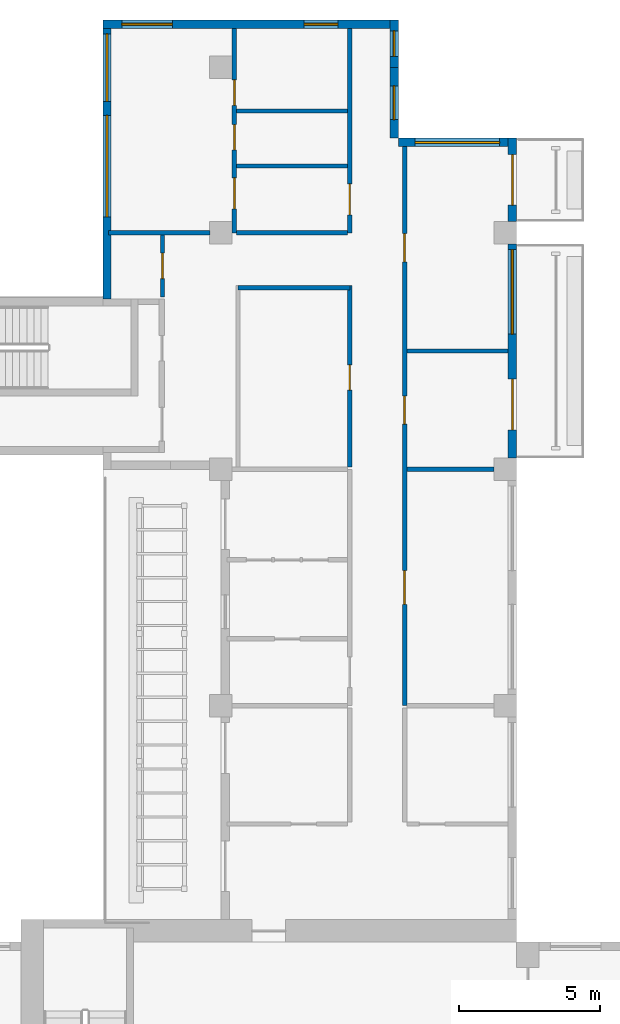
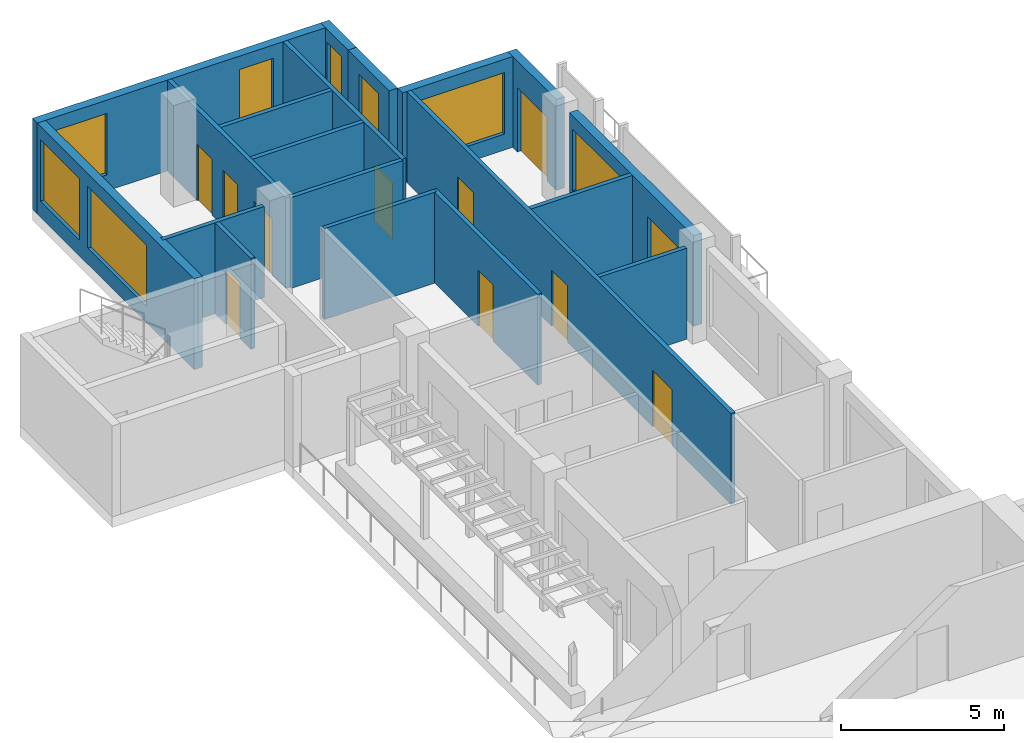
# One storey, part 9 of 14: 19 walls, 11 doors, 8 windows, 19 openings.
"""IFC4 building model written with IfcOpenShell, lengths in metres."""

from ifc_helpers import new_model, si_unit, direction, frame, frame_2d, origin, place, context, subcontext, project, spatial, rectangle, extrude, source, transform, mapped, material, layer, layer_set, type_object, element, fill, save


model = new_model("IFC4")

# Units and contexts
model_context = context("Model", 3, precision=1e-05, world=origin(), true_north=direction((0.0, 1.0)))
body_context = subcontext(model_context, "Body", "Model", "MODEL_VIEW")
ifc_project = project(units=[si_unit("LENGTHUNIT", "METRE"), si_unit("AREAUNIT", "SQUARE_METRE"), si_unit("VOLUMEUNIT", "CUBIC_METRE"), si_unit("PLANEANGLEUNIT", "RADIAN"), si_unit("MASSUNIT", "GRAM", prefix="KILO")], contexts=[model_context])

# Site, building, storey
site_placement = place(None, origin())
site = spatial("IfcSite", under=ifc_project, at=site_placement, CompositionType="ELEMENT")
building_placement = place(site_placement, origin())
building = spatial("IfcBuilding", under=site, at=building_placement, Name="Aurelian Terraces", CompositionType="ELEMENT")
storey_placement = place(building_placement, frame((0.0, 0.0, 231.0)))
storey = spatial("IfcBuildingStorey", under=building, at=storey_placement, Name="L52", CompositionType="ELEMENT", Elevation=231.0)

# Wall, opening, window
ifc_material_1 = material(Name="Terracotta rainscreen cladding", Category="masonry")
ifc_layer_1 = layer(ifc_material_1, 0.3)
ifc_layer_set_1 = layer_set([ifc_layer_1], Name="EW-300")
wall_type_1 = type_object("IfcWallType", Name="EW-300", PredefinedType="STANDARD", material=ifc_layer_set_1)
shared_shape_1 = source(origin(), body_context, "Body", "SweptSolid", [
    extrude(rectangle(XDim=4.2, YDim=0.3, at=frame_2d((2.1, 0.0))), origin(), (0.0, 0.0, 1.0), 3.4),
])
wall_1_placement = place(storey_placement, frame((21.0, 49.41, 0.0), z_axis=(0.0, 0.0, 1.0), x_axis=(-1.0, 0.0, 0.0)))
wall_1 = element("IfcWall", 1, at=wall_1_placement, inside=storey, type_object=wall_type_1, Name="External wall L52 F09.22", PredefinedType="STANDARD", context=body_context, shape_type="MappedRepresentation", body=[
    mapped(shared_shape_1, transform((0.0, 0.0, 0.0), scale=1.0)),
])
shared_shape_2 = source(origin(), body_context, "Body", "SweptSolid", [
    extrude(rectangle(XDim=3.0, YDim=2.3, at=frame_2d((1.5, 1.15))), frame((0.0, 0.16, 0.0), z_axis=(0.0, -1.0, 0.0), x_axis=(1.0, 0.0, 0.0)), (0.0, 0.0, 1.0), 0.32),
])
opening_1_placement = place(wall_1_placement, frame((0.6, 0.0, 0.6)))
opening_1 = element("IfcOpeningElement", 2, at=opening_1_placement, cuts=wall_1, Name="Opening W3023", PredefinedType="OPENING", context=body_context, shape_type="MappedRepresentation", body=[
    mapped(shared_shape_2, transform((0.0, 0.0, 0.0), scale=1.0)),
])
ifc_material_2 = material(Name="Clear glazing", Category="glass")
window_type_1 = type_object("IfcWindowType", Name="W-3000x2300", PartitioningType="SINGLE_PANEL", PredefinedType="WINDOW", material=ifc_material_2)
shared_shape_3 = source(origin(), body_context, "Body", "SweptSolid", [
    extrude(rectangle(XDim=3.0, YDim=2.3, at=frame_2d((1.5, 1.15))), frame((0.0, 0.03, 0.0), z_axis=(0.0, -1.0, 0.0), x_axis=(1.0, 0.0, 0.0)), (0.0, 0.0, 1.0), 0.06),
])
window_1_placement = place(opening_1_placement, origin())
window_1 = element("IfcWindow", 3, at=window_1_placement, inside=storey, type_object=window_type_1, Name="Window L52 L52-F09-22-0", OverallHeight=2.3, OverallWidth=3.0, PartitioningType="SINGLE_PANEL", PredefinedType="WINDOW", context=body_context, shape_type="MappedRepresentation", body=[
    mapped(shared_shape_3, transform((0.0, 0.0, 0.0), scale=1.0)),
])
fill(opening_1, window_1)

shared_shape_4 = source(origin(), body_context, "Body", "SweptSolid", [
    extrude(rectangle(XDim=2.52, YDim=0.3, at=frame_2d((1.26, 0.0))), origin(), (0.0, 0.0, 1.0), 3.4),
])
wall_2_placement = place(storey_placement, frame((16.65, 49.56, 0.0), z_axis=(0.0, 0.0, 1.0), x_axis=(0.0, 1.0, 0.0)))
wall_2 = element("IfcWall", 4, at=wall_2_placement, inside=storey, type_object=wall_type_1, Name="External wall L52 F10.23", PredefinedType="STANDARD", context=body_context, shape_type="MappedRepresentation", body=[
    mapped(shared_shape_4, transform((0.0, 0.0, 0.0), scale=1.0)),
])
shared_shape_5 = source(origin(), body_context, "Body", "SweptSolid", [
    extrude(rectangle(XDim=1.2, YDim=2.3, at=frame_2d((0.6, 1.15))), frame((0.0, 0.16, 0.0), z_axis=(0.0, -1.0, 0.0), x_axis=(1.0, 0.0, 0.0)), (0.0, 0.0, 1.0), 0.32),
])
opening_2_placement = place(wall_2_placement, frame((0.66, 0.0, 0.6)))
opening_2 = element("IfcOpeningElement", 5, at=opening_2_placement, cuts=wall_2, Name="Opening W1223", PredefinedType="OPENING", context=body_context, shape_type="MappedRepresentation", body=[
    mapped(shared_shape_5, transform((0.0, 0.0, 0.0), scale=1.0)),
])
window_type_2 = type_object("IfcWindowType", Name="W-1200x2300", PartitioningType="SINGLE_PANEL", PredefinedType="WINDOW", material=ifc_material_2)
shared_shape_6 = source(origin(), body_context, "Body", "SweptSolid", [
    extrude(rectangle(XDim=1.2, YDim=2.3, at=frame_2d((0.6, 1.15))), frame((0.0, 0.03, 0.0), z_axis=(0.0, -1.0, 0.0), x_axis=(1.0, 0.0, 0.0)), (0.0, 0.0, 1.0), 0.06),
])
window_2_placement = place(opening_2_placement, origin())
window_2 = element("IfcWindow", 6, at=window_2_placement, inside=storey, type_object=window_type_2, Name="Window L52 L52-F10-23-0", OverallHeight=2.3, OverallWidth=1.2, PartitioningType="SINGLE_PANEL", PredefinedType="WINDOW", context=body_context, shape_type="MappedRepresentation", body=[
    mapped(shared_shape_6, transform((0.0, 0.0, 0.0), scale=1.0)),
])
fill(opening_2, window_2)

shared_shape_7 = source(origin(), body_context, "Body", "SweptSolid", [
    extrude(rectangle(XDim=1.68, YDim=0.3, at=frame_2d((0.84, 0.0))), origin(), (0.0, 0.0, 1.0), 3.4),
])
wall_3_placement = place(storey_placement, frame((16.65, 52.08, 0.0), z_axis=(0.0, 0.0, 1.0), x_axis=(0.0, 1.0, 0.0)))
wall_3 = element("IfcWall", 7, at=wall_3_placement, inside=storey, type_object=wall_type_1, Name="External wall L52 F10.24", PredefinedType="STANDARD", context=body_context, shape_type="MappedRepresentation", body=[
    mapped(shared_shape_7, transform((0.0, 0.0, 0.0), scale=1.0)),
])
shared_shape_8 = source(origin(), body_context, "Body", "SweptSolid", [
    extrude(rectangle(XDim=0.9, YDim=2.3, at=frame_2d((0.45, 1.15))), frame((0.0, 0.16, 0.0), z_axis=(0.0, -1.0, 0.0), x_axis=(1.0, 0.0, 0.0)), (0.0, 0.0, 1.0), 0.32),
])
opening_3_placement = place(wall_3_placement, frame((0.39, 0.0, 0.6)))
opening_3 = element("IfcOpeningElement", 8, at=opening_3_placement, cuts=wall_3, Name="Opening W0923", PredefinedType="OPENING", context=body_context, shape_type="MappedRepresentation", body=[
    mapped(shared_shape_8, transform((0.0, 0.0, 0.0), scale=1.0)),
])
window_type_3 = type_object("IfcWindowType", Name="W-900x2300", PartitioningType="SINGLE_PANEL", PredefinedType="WINDOW", material=ifc_material_2)
shared_shape_9 = source(origin(), body_context, "Body", "SweptSolid", [
    extrude(rectangle(XDim=0.9, YDim=2.3, at=frame_2d((0.45, 1.15))), frame((0.0, 0.03, 0.0), z_axis=(0.0, -1.0, 0.0), x_axis=(1.0, 0.0, 0.0)), (0.0, 0.0, 1.0), 0.06),
])
window_3_placement = place(opening_3_placement, origin())
window_3 = element("IfcWindow", 9, at=window_3_placement, inside=storey, type_object=window_type_3, Name="Window L52 L52-F10-24-P0", OverallHeight=2.3, OverallWidth=0.9, PartitioningType="SINGLE_PANEL", PredefinedType="WINDOW", context=body_context, shape_type="MappedRepresentation", body=[
    mapped(shared_shape_9, transform((0.0, 0.0, 0.0), scale=1.0)),
])
fill(opening_3, window_3)

# Wall, openings, windows
shared_shape_10 = source(origin(), body_context, "Body", "SweptSolid", [
    extrude(rectangle(XDim=10.5, YDim=0.3, at=frame_2d((5.25, 0.0))), origin(), (0.0, 0.0, 1.0), 3.4),
])
wall_4_placement = place(storey_placement, frame((16.8, 53.61, 0.0), z_axis=(0.0, 0.0, 1.0), x_axis=(-1.0, 0.0, 0.0)))
wall_4 = element("IfcWall", 10, at=wall_4_placement, inside=storey, type_object=wall_type_1, Name="External wall L52 F11.25", PredefinedType="STANDARD", context=body_context, shape_type="MappedRepresentation", body=[
    mapped(shared_shape_10, transform((0.0, 0.0, 0.0), scale=1.0)),
])
opening_4_placement = place(wall_4_placement, frame((2.15, 0.0, 0.6)))
opening_4 = element("IfcOpeningElement", 11, at=opening_4_placement, cuts=wall_4, Name="Opening W1223", PredefinedType="OPENING", context=body_context, shape_type="MappedRepresentation", body=[
    mapped(shared_shape_5, transform((0.0, 0.0, 0.0), scale=1.0)),
])
shared_shape_11 = source(origin(), body_context, "Body", "SweptSolid", [
    extrude(rectangle(XDim=1.8, YDim=2.3, at=frame_2d((0.9, 1.15))), frame((0.0, 0.16, 0.0), z_axis=(0.0, -1.0, 0.0), x_axis=(1.0, 0.0, 0.0)), (0.0, 0.0, 1.0), 0.32),
])
opening_5_placement = place(wall_4_placement, frame((8.025, 0.0, 0.6)))
opening_5 = element("IfcOpeningElement", 12, at=opening_5_placement, cuts=wall_4, Name="Opening W1823", PredefinedType="OPENING", context=body_context, shape_type="MappedRepresentation", body=[
    mapped(shared_shape_11, transform((0.0, 0.0, 0.0), scale=1.0)),
])
window_4_placement = place(opening_4_placement, origin())
window_4 = element("IfcWindow", 13, at=window_4_placement, inside=storey, type_object=window_type_2, Name="Window L52 L52-F11-25-0", OverallHeight=2.3, OverallWidth=1.2, PartitioningType="SINGLE_PANEL", PredefinedType="WINDOW", context=body_context, shape_type="MappedRepresentation", body=[
    mapped(shared_shape_6, transform((0.0, 0.0, 0.0), scale=1.0)),
])
fill(opening_4, window_4)
window_type_4 = type_object("IfcWindowType", Name="W-1800x2300", PartitioningType="SINGLE_PANEL", PredefinedType="WINDOW", material=ifc_material_2)
shared_shape_12 = source(origin(), body_context, "Body", "SweptSolid", [
    extrude(rectangle(XDim=1.8, YDim=2.3, at=frame_2d((0.9, 1.15))), frame((0.0, 0.03, 0.0), z_axis=(0.0, -1.0, 0.0), x_axis=(1.0, 0.0, 0.0)), (0.0, 0.0, 1.0), 0.06),
])
window_5_placement = place(opening_5_placement, origin())
window_5 = element("IfcWindow", 14, at=window_5_placement, inside=storey, type_object=window_type_4, Name="Window L52 L52-F11-25-2", OverallHeight=2.3, OverallWidth=1.8, PartitioningType="SINGLE_PANEL", PredefinedType="WINDOW", context=body_context, shape_type="MappedRepresentation", body=[
    mapped(shared_shape_12, transform((0.0, 0.0, 0.0), scale=1.0)),
])
fill(opening_5, window_5)

shared_shape_13 = source(origin(), body_context, "Body", "SweptSolid", [
    extrude(rectangle(XDim=9.91, YDim=0.3, at=frame_2d((4.955, 0.0))), origin(), (0.0, 0.0, 1.0), 3.4),
])
wall_5_placement = place(storey_placement, frame((6.45, 53.76, 0.0), z_axis=(0.0, 0.0, 1.0), x_axis=(0.0, -1.0, 0.0)))
wall_5 = element("IfcWall", 15, at=wall_5_placement, inside=storey, type_object=wall_type_1, Name="External wall L52 F12.26", PredefinedType="STANDARD", context=body_context, shape_type="MappedRepresentation", body=[
    mapped(shared_shape_13, transform((0.0, 0.0, 0.0), scale=1.0)),
])
shared_shape_14 = source(origin(), body_context, "Body", "SweptSolid", [
    extrude(rectangle(XDim=3.6, YDim=2.3, at=frame_2d((1.8, 1.15))), frame((0.0, 0.16, 0.0), z_axis=(0.0, -1.0, 0.0), x_axis=(1.0, 0.0, 0.0)), (0.0, 0.0, 1.0), 0.32),
])
opening_6_placement = place(wall_5_placement, frame((3.39, 0.0, 0.6)))
opening_6 = element("IfcOpeningElement", 16, at=opening_6_placement, cuts=wall_5, Name="Opening W3623", PredefinedType="OPENING", context=body_context, shape_type="MappedRepresentation", body=[
    mapped(shared_shape_14, transform((0.0, 0.0, 0.0), scale=1.0)),
])
shared_shape_15 = source(origin(), body_context, "Body", "SweptSolid", [
    extrude(rectangle(XDim=2.4, YDim=2.3, at=frame_2d((1.2, 1.15))), frame((0.0, 0.16, 0.0), z_axis=(0.0, -1.0, 0.0), x_axis=(1.0, 0.0, 0.0)), (0.0, 0.0, 1.0), 0.32),
])
opening_7_placement = place(wall_5_placement, frame((0.495, 0.0, 0.6)))
opening_7 = element("IfcOpeningElement", 17, at=opening_7_placement, cuts=wall_5, Name="Opening W2423", PredefinedType="OPENING", context=body_context, shape_type="MappedRepresentation", body=[
    mapped(shared_shape_15, transform((0.0, 0.0, 0.0), scale=1.0)),
])
window_type_5 = type_object("IfcWindowType", Name="W-3600x2300", PartitioningType="SINGLE_PANEL", PredefinedType="WINDOW", material=ifc_material_2)
shared_shape_16 = source(origin(), body_context, "Body", "SweptSolid", [
    extrude(rectangle(XDim=3.6, YDim=2.3, at=frame_2d((1.8, 1.15))), frame((0.0, 0.03, 0.0), z_axis=(0.0, -1.0, 0.0), x_axis=(1.0, 0.0, 0.0)), (0.0, 0.0, 1.0), 0.06),
])
window_6_placement = place(opening_6_placement, origin())
window_6 = element("IfcWindow", 18, at=window_6_placement, inside=storey, type_object=window_type_5, Name="Window L52 L52-F12-26-1", OverallHeight=2.3, OverallWidth=3.6, PartitioningType="SINGLE_PANEL", PredefinedType="WINDOW", context=body_context, shape_type="MappedRepresentation", body=[
    mapped(shared_shape_16, transform((0.0, 0.0, 0.0), scale=1.0)),
])
fill(opening_6, window_6)
window_type_6 = type_object("IfcWindowType", Name="W-2400x2300", PartitioningType="SINGLE_PANEL", PredefinedType="WINDOW", material=ifc_material_2)
shared_shape_17 = source(origin(), body_context, "Body", "SweptSolid", [
    extrude(rectangle(XDim=2.4, YDim=2.3, at=frame_2d((1.2, 1.15))), frame((0.0, 0.03, 0.0), z_axis=(0.0, -1.0, 0.0), x_axis=(1.0, 0.0, 0.0)), (0.0, 0.0, 1.0), 0.06),
])
window_7_placement = place(opening_7_placement, origin())
window_7 = element("IfcWindow", 19, at=window_7_placement, inside=storey, type_object=window_type_6, Name="Window L52 L52-F12-26-G0-0", OverallHeight=2.3, OverallWidth=2.4, PartitioningType="SINGLE_PANEL", PredefinedType="WINDOW", context=body_context, shape_type="MappedRepresentation", body=[
    mapped(shared_shape_17, transform((0.0, 0.0, 0.0), scale=1.0)),
])
fill(opening_7, window_7)

# Wall, openings, door, window
shared_shape_18 = source(origin(), body_context, "Body", "SweptSolid", [
    extrude(rectangle(XDim=7.6, YDim=0.3, at=frame_2d((3.8, 0.0))), origin(), (0.0, 0.0, 1.0), 3.4),
])
wall_6_placement = place(storey_placement, frame((20.85, 38.2, 0.0), z_axis=(0.0, 0.0, 1.0), x_axis=(0.0, 1.0, 0.0)))
wall_6 = element("IfcWall", 20, at=wall_6_placement, inside=storey, type_object=wall_type_1, Name="External wall L52 F08.20", PredefinedType="STANDARD", context=body_context, shape_type="MappedRepresentation", body=[
    mapped(shared_shape_18, transform((0.0, 0.0, 0.0), scale=1.0)),
])
shared_shape_19 = source(origin(), body_context, "Body", "SweptSolid", [
    extrude(rectangle(XDim=1.8, YDim=2.4, at=frame_2d((0.9, 1.2))), frame((0.0, 0.16, 0.0), z_axis=(0.0, -1.0, 0.0), x_axis=(1.0, 0.0, 0.0)), (0.0, 0.0, 1.0), 0.32),
])
opening_8_placement = place(wall_6_placement, frame((1.0, 0.0, 0.0)))
opening_8 = element("IfcOpeningElement", 21, at=opening_8_placement, cuts=wall_6, Name="Opening 85202", PredefinedType="OPENING", context=body_context, shape_type="MappedRepresentation", body=[
    mapped(shared_shape_19, transform((0.0, 0.0, 0.0), scale=1.0)),
])
opening_9_placement = place(wall_6_placement, frame((4.4, 0.0, 0.6)))
opening_9 = element("IfcOpeningElement", 22, at=opening_9_placement, cuts=wall_6, Name="Opening W3023", PredefinedType="OPENING", context=body_context, shape_type="MappedRepresentation", body=[
    mapped(shared_shape_2, transform((0.0, 0.0, 0.0), scale=1.0)),
])
door_type_1 = type_object("IfcDoorType", Name="BD-1800x2400", OperationType="SLIDING_TO_LEFT", PredefinedType="DOOR", material=ifc_material_2)
shared_shape_20 = source(origin(), body_context, "Body", "SweptSolid", [
    extrude(rectangle(XDim=1.8, YDim=2.4, at=frame_2d((0.9, 1.2))), frame((0.0, 0.025, 0.0), z_axis=(0.0, -1.0, 0.0), x_axis=(1.0, 0.0, 0.0)), (0.0, 0.0, 1.0), 0.05),
])
door_1_placement = place(opening_8_placement, origin())
door_1 = element("IfcDoor", 23, at=door_1_placement, inside=storey, type_object=door_type_1, Name="Balcony door L52 F08.20", OperationType="SLIDING_TO_LEFT", OverallHeight=2.4, OverallWidth=1.8, PredefinedType="DOOR", context=body_context, shape_type="MappedRepresentation", body=[
    mapped(shared_shape_20, transform((0.0, 0.0, 0.0), scale=1.0)),
])
fill(opening_8, door_1)
window_8_placement = place(opening_9_placement, origin())
window_8 = element("IfcWindow", 24, at=window_8_placement, inside=storey, type_object=window_type_1, Name="Window L52 L52-F08-20-1", OverallHeight=2.3, OverallWidth=3.0, PartitioningType="SINGLE_PANEL", PredefinedType="WINDOW", context=body_context, shape_type="MappedRepresentation", body=[
    mapped(shared_shape_3, transform((0.0, 0.0, 0.0), scale=1.0)),
])
fill(opening_9, window_8)

# Wall, opening, door
shared_shape_21 = source(origin(), body_context, "Body", "SweptSolid", [
    extrude(rectangle(XDim=2.96, YDim=0.3, at=frame_2d((1.48, 0.0))), origin(), (0.0, 0.0, 1.0), 3.4),
])
wall_7_placement = place(storey_placement, frame((20.85, 46.6, 0.0), z_axis=(0.0, 0.0, 1.0), x_axis=(0.0, 1.0, 0.0)))
wall_7 = element("IfcWall", 25, at=wall_7_placement, inside=storey, type_object=wall_type_1, Name="External wall L52 F08.21", PredefinedType="STANDARD", context=body_context, shape_type="MappedRepresentation", body=[
    mapped(shared_shape_21, transform((0.0, 0.0, 0.0), scale=1.0)),
])
opening_10_placement = place(wall_7_placement, frame((0.58, 0.0, 0.0)))
opening_10 = element("IfcOpeningElement", 26, at=opening_10_placement, cuts=wall_7, Name="Opening 85203", PredefinedType="OPENING", context=body_context, shape_type="MappedRepresentation", body=[
    mapped(shared_shape_19, transform((0.0, 0.0, 0.0), scale=1.0)),
])
door_2_placement = place(opening_10_placement, origin())
door_2 = element("IfcDoor", 27, at=door_2_placement, inside=storey, type_object=door_type_1, Name="Balcony door L52 F08.21", OperationType="SLIDING_TO_LEFT", OverallHeight=2.4, OverallWidth=1.8, PredefinedType="DOOR", context=body_context, shape_type="MappedRepresentation", body=[
    mapped(shared_shape_20, transform((0.0, 0.0, 0.0), scale=1.0)),
])
fill(opening_10, door_2)

ifc_material_3 = material(Name="Gypsum board on steel studs", Category="steel")
ifc_layer_2 = layer(ifc_material_3, 0.15)
ifc_layer_set_2 = layer_set([ifc_layer_2], Name="Fire partition 150")
wall_type_2 = type_object("IfcWallType", Name="Fire partition 150", PredefinedType="PARTITIONING", material=ifc_layer_set_2)
shared_shape_22 = source(origin(), body_context, "Body", "SweptSolid", [
    extrude(rectangle(XDim=6.45, YDim=0.15, at=frame_2d((3.225, 0.0))), origin(), (0.0, 0.0, 1.0), 3.4),
])
wall_8_placement = place(storey_placement, frame((15.075, 37.875, 0.0), z_axis=(0.0, 0.0, 1.0), x_axis=(0.0, 1.0, 0.0)))
wall_8 = element("IfcWall", 28, at=wall_8_placement, inside=storey, type_object=wall_type_2, Name="Corridor wall", PredefinedType="PARTITIONING", context=body_context, shape_type="MappedRepresentation", body=[
    mapped(shared_shape_22, transform((0.0, 0.0, 0.0), scale=1.0)),
])
shared_shape_23 = source(origin(), body_context, "Body", "SweptSolid", [
    extrude(rectangle(XDim=0.9, YDim=2.1, at=frame_2d((0.45, 1.05))), frame((0.0, 0.085, 0.0), z_axis=(0.0, -1.0, 0.0), x_axis=(1.0, 0.0, 0.0)), (0.0, 0.0, 1.0), 0.17),
])
opening_11_placement = place(wall_8_placement, frame((2.7375, 0.0, 0.0)))
opening_11 = element("IfcOpeningElement", 29, at=opening_11_placement, cuts=wall_8, Name="Opening 752019", PredefinedType="OPENING", context=body_context, shape_type="MappedRepresentation", body=[
    mapped(shared_shape_23, transform((0.0, 0.0, 0.0), scale=1.0)),
])
ifc_material_4 = material(Name="Timber door leaf", Category="wood")
door_type_2 = type_object("IfcDoorType", Name="Room door 900x2100 left", OperationType="SINGLE_SWING_LEFT", PredefinedType="DOOR", material=ifc_material_4)
shared_shape_24 = source(origin(), body_context, "Body", "SweptSolid", [
    extrude(rectangle(XDim=0.9, YDim=2.1, at=frame_2d((0.45, 1.05))), frame((0.0, 0.025, 0.0), z_axis=(0.0, -1.0, 0.0), x_axis=(1.0, 0.0, 0.0)), (0.0, 0.0, 1.0), 0.05),
])
door_3_placement = place(opening_11_placement, origin())
door_3 = element("IfcDoor", 30, at=door_3_placement, inside=storey, type_object=door_type_2, Name="Door 752019", OperationType="SINGLE_SWING_LEFT", OverallHeight=2.1, OverallWidth=0.9, PredefinedType="DOOR", context=body_context, shape_type="MappedRepresentation", body=[
    mapped(shared_shape_24, transform((0.0, 0.0, 0.0), scale=1.0)),
])
fill(opening_11, door_3)

# Wall
shared_shape_25 = source(origin(), body_context, "Body", "SweptSolid", [
    extrude(rectangle(XDim=3.6, YDim=0.15, at=frame_2d((1.8, 0.0))), origin(), (0.0, 0.0, 1.0), 3.4),
])
wall_9_placement = place(storey_placement, frame((20.7, 42.0, 0.0), z_axis=(0.0, 0.0, 1.0), x_axis=(-1.0, 0.0, 0.0)))
element("IfcWall", 31, at=wall_9_placement, inside=storey, type_object=wall_type_2, Name="Party wall", PredefinedType="PARTITIONING", context=body_context, shape_type="MappedRepresentation", body=[
    mapped(shared_shape_25, transform((0.0, 0.0, 0.0), scale=1.0)),
])

# Wall, opening, door
ifc_layer_3 = layer(ifc_material_3, 0.15)
ifc_layer_set_3 = layer_set([ifc_layer_3], Name="Partition 150")
wall_type_3 = type_object("IfcWallType", Name="Partition 150", PredefinedType="PARTITIONING", material=ifc_layer_set_3)
shared_shape_26 = source(origin(), body_context, "Body", "SweptSolid", [
    extrude(rectangle(XDim=2.2, YDim=0.15, at=frame_2d((1.1, 0.0))), origin(), (0.0, 0.0, 1.0), 3.4),
])
wall_10_placement = place(storey_placement, frame((8.425, 43.925, 0.0), z_axis=(0.0, 0.0, 1.0), x_axis=(0.0, 1.0, 0.0)))
wall_10 = element("IfcWall", 32, at=wall_10_placement, inside=storey, type_object=wall_type_3, Name="Partition", PredefinedType="PARTITIONING", context=body_context, shape_type="MappedRepresentation", body=[
    mapped(shared_shape_26, transform((0.0, 0.0, 0.0), scale=1.0)),
])
opening_12_placement = place(wall_10_placement, frame((0.65, 0.0, 0.0)))
opening_12 = element("IfcOpeningElement", 33, at=opening_12_placement, cuts=wall_10, Name="Opening 752020", PredefinedType="OPENING", context=body_context, shape_type="MappedRepresentation", body=[
    mapped(shared_shape_23, transform((0.0, 0.0, 0.0), scale=1.0)),
])
door_4_placement = place(opening_12_placement, origin())
door_4 = element("IfcDoor", 34, at=door_4_placement, inside=storey, type_object=door_type_2, Name="Door 752020", OperationType="SINGLE_SWING_LEFT", OverallHeight=2.1, OverallWidth=0.9, PredefinedType="DOOR", context=body_context, shape_type="MappedRepresentation", body=[
    mapped(shared_shape_24, transform((0.0, 0.0, 0.0), scale=1.0)),
])
fill(opening_12, door_4)

# Wall, openings, doors
shared_shape_27 = source(origin(), body_context, "Body", "SweptSolid", [
    extrude(rectangle(XDim=7.26, YDim=0.15, at=frame_2d((3.63, 0.0))), origin(), (0.0, 0.0, 1.0), 3.4),
])
wall_11_placement = place(storey_placement, frame((10.975, 46.2, 0.0), z_axis=(0.0, 0.0, 1.0), x_axis=(0.0, 1.0, 0.0)))
wall_11 = element("IfcWall", 35, at=wall_11_placement, inside=storey, type_object=wall_type_3, Name="Partition", PredefinedType="PARTITIONING", context=body_context, shape_type="MappedRepresentation", body=[
    mapped(shared_shape_27, transform((0.0, 0.0, 0.0), scale=1.0)),
])
shared_shape_28 = source(origin(), body_context, "Body", "SweptSolid", [
    extrude(rectangle(XDim=1.1, YDim=2.1, at=frame_2d((0.55, 1.05))), frame((0.0, 0.085, 0.0), z_axis=(0.0, -1.0, 0.0), x_axis=(1.0, 0.0, 0.0)), (0.0, 0.0, 1.0), 0.17),
])
opening_13_placement = place(wall_11_placement, frame((0.8474, 0.0, 0.0)))
opening_13 = element("IfcOpeningElement", 36, at=opening_13_placement, cuts=wall_11, Name="Opening 752023", PredefinedType="OPENING", context=body_context, shape_type="MappedRepresentation", body=[
    mapped(shared_shape_28, transform((0.0, 0.0, 0.0), scale=1.0)),
])
opening_14_placement = place(wall_11_placement, frame((2.9464, 0.0, 0.0)))
opening_14 = element("IfcOpeningElement", 37, at=opening_14_placement, cuts=wall_11, Name="Opening 752024", PredefinedType="OPENING", context=body_context, shape_type="MappedRepresentation", body=[
    mapped(shared_shape_23, transform((0.0, 0.0, 0.0), scale=1.0)),
])
opening_15_placement = place(wall_11_placement, frame((4.529, 0.0, 0.0)))
opening_15 = element("IfcOpeningElement", 38, at=opening_15_placement, cuts=wall_11, Name="Opening 752025", PredefinedType="OPENING", context=body_context, shape_type="MappedRepresentation", body=[
    mapped(shared_shape_23, transform((0.0, 0.0, 0.0), scale=1.0)),
])
door_type_3 = type_object("IfcDoorType", Name="Room door 900x2100 right", OperationType="SINGLE_SWING_RIGHT", PredefinedType="DOOR", material=ifc_material_4)
door_5_placement = place(opening_14_placement, origin())
door_5 = element("IfcDoor", 39, at=door_5_placement, inside=storey, type_object=door_type_3, Name="Door 752024", OperationType="SINGLE_SWING_RIGHT", OverallHeight=2.1, OverallWidth=0.9, PredefinedType="DOOR", context=body_context, shape_type="MappedRepresentation", body=[
    mapped(shared_shape_24, transform((0.0, 0.0, 0.0), scale=1.0)),
])
fill(opening_14, door_5)
door_6_placement = place(opening_15_placement, origin())
door_6 = element("IfcDoor", 40, at=door_6_placement, inside=storey, type_object=door_type_2, Name="Door 752025", OperationType="SINGLE_SWING_LEFT", OverallHeight=2.1, OverallWidth=0.9, PredefinedType="DOOR", context=body_context, shape_type="MappedRepresentation", body=[
    mapped(shared_shape_24, transform((0.0, 0.0, 0.0), scale=1.0)),
])
fill(opening_15, door_6)
door_type_4 = type_object("IfcDoorType", Name="Room door 1100x2100 left", OperationType="SINGLE_SWING_LEFT", PredefinedType="DOOR", material=ifc_material_4)
shared_shape_29 = source(origin(), body_context, "Body", "SweptSolid", [
    extrude(rectangle(XDim=1.1, YDim=2.1, at=frame_2d((0.55, 1.05))), frame((0.0, 0.025, 0.0), z_axis=(0.0, -1.0, 0.0), x_axis=(1.0, 0.0, 0.0)), (0.0, 0.0, 1.0), 0.05),
])
door_7_placement = place(opening_13_placement, origin())
door_7 = element("IfcDoor", 41, at=door_7_placement, inside=storey, type_object=door_type_4, Name="Door 752023", OperationType="SINGLE_SWING_LEFT", OverallHeight=2.1, OverallWidth=1.1, PredefinedType="DOOR", context=body_context, shape_type="MappedRepresentation", body=[
    mapped(shared_shape_29, transform((0.0, 0.0, 0.0), scale=1.0)),
])
fill(opening_13, door_7)

# Wall, opening, door
wall_12_placement = place(storey_placement, frame((15.075, 46.2, 0.0), z_axis=(0.0, 0.0, 1.0), x_axis=(0.0, 1.0, 0.0)))
wall_12 = element("IfcWall", 42, at=wall_12_placement, inside=storey, type_object=wall_type_2, Name="Corridor wall", PredefinedType="PARTITIONING", context=body_context, shape_type="MappedRepresentation", body=[
    mapped(shared_shape_27, transform((0.0, 0.0, 0.0), scale=1.0)),
])
opening_16_placement = place(wall_12_placement, frame((0.6349, 0.0, 0.0)))
opening_16 = element("IfcOpeningElement", 43, at=opening_16_placement, cuts=wall_12, Name="Opening 752022", PredefinedType="OPENING", context=body_context, shape_type="MappedRepresentation", body=[
    mapped(shared_shape_28, transform((0.0, 0.0, 0.0), scale=1.0)),
])
ifc_material_5 = material(Name="Steel door leaf", Category="steel")
door_type_5 = type_object("IfcDoorType", Name="Entrance fire door 1100x2100 right", OperationType="SINGLE_SWING_RIGHT", PredefinedType="DOOR", material=ifc_material_5)
door_8_placement = place(opening_16_placement, origin())
door_8 = element("IfcDoor", 44, at=door_8_placement, inside=storey, type_object=door_type_5, Name="Door 752022", OperationType="SINGLE_SWING_RIGHT", OverallHeight=2.1, OverallWidth=1.1, PredefinedType="DOOR", context=body_context, shape_type="MappedRepresentation", body=[
    mapped(shared_shape_29, transform((0.0, 0.0, 0.0), scale=1.0)),
])
fill(opening_16, door_8)

# Wall
shared_shape_30 = source(origin(), body_context, "Body", "SweptSolid", [
    extrude(rectangle(XDim=3.975, YDim=0.15, at=frame_2d((1.9875, 0.0))), origin(), (0.0, 0.0, 1.0), 3.4),
])
wall_13_placement = place(storey_placement, frame((15.075, 44.25, 0.0), z_axis=(0.0, 0.0, 1.0), x_axis=(-1.0, 0.0, 0.0)))
element("IfcWall", 45, at=wall_13_placement, inside=storey, type_object=wall_type_3, Name="Partition", PredefinedType="PARTITIONING", context=body_context, shape_type="MappedRepresentation", body=[
    mapped(shared_shape_30, transform((0.0, 0.0, 0.0), scale=1.0)),
])

# Wall, openings, doors
shared_shape_31 = source(origin(), body_context, "Body", "SweptSolid", [
    extrude(rectangle(XDim=19.86, YDim=0.15, at=frame_2d((9.93, 0.0))), origin(), (0.0, 0.0, 1.0), 3.4),
])
wall_14_placement = place(storey_placement, frame((17.025, 49.26, 0.0), z_axis=(0.0, 0.0, 1.0), x_axis=(0.0, -1.0, 0.0)))
wall_14 = element("IfcWall", 46, at=wall_14_placement, inside=storey, type_object=wall_type_2, Name="Corridor wall", PredefinedType="PARTITIONING", context=body_context, shape_type="MappedRepresentation", body=[
    mapped(shared_shape_31, transform((0.0, 0.0, 0.0), scale=1.0)),
])
shared_shape_32 = source(origin(), body_context, "Body", "SweptSolid", [
    extrude(rectangle(XDim=1.2, YDim=2.1, at=frame_2d((0.6, 1.05))), frame((0.0, 0.085, 0.0), z_axis=(0.0, -1.0, 0.0), x_axis=(1.0, 0.0, 0.0)), (0.0, 0.0, 1.0), 0.17),
])
opening_17_placement = place(wall_14_placement, frame((15.06, 0.0, 0.0)))
opening_17 = element("IfcOpeningElement", 47, at=opening_17_placement, cuts=wall_14, Name="Opening 752026", PredefinedType="OPENING", context=body_context, shape_type="MappedRepresentation", body=[
    mapped(shared_shape_32, transform((0.0, 0.0, 0.0), scale=1.0)),
])
shared_shape_33 = source(origin(), body_context, "Body", "SweptSolid", [
    extrude(rectangle(XDim=1.0, YDim=2.1, at=frame_2d((0.5, 1.05))), frame((0.0, 0.085, 0.0), z_axis=(0.0, -1.0, 0.0), x_axis=(1.0, 0.0, 0.0)), (0.0, 0.0, 1.0), 0.17),
])
opening_18_placement = place(wall_14_placement, frame((8.86, 0.0, 0.0)))
opening_18 = element("IfcOpeningElement", 48, at=opening_18_placement, cuts=wall_14, Name="Opening 752027", PredefinedType="OPENING", context=body_context, shape_type="MappedRepresentation", body=[
    mapped(shared_shape_33, transform((0.0, 0.0, 0.0), scale=1.0)),
])
opening_19_placement = place(wall_14_placement, frame((3.0925, 0.0, 0.0)))
opening_19 = element("IfcOpeningElement", 49, at=opening_19_placement, cuts=wall_14, Name="Opening 752028", PredefinedType="OPENING", context=body_context, shape_type="MappedRepresentation", body=[
    mapped(shared_shape_33, transform((0.0, 0.0, 0.0), scale=1.0)),
])
door_type_6 = type_object("IfcDoorType", Name="Entrance fire door 1000x2100 right", OperationType="SINGLE_SWING_RIGHT", PredefinedType="DOOR", material=ifc_material_5)
shared_shape_34 = source(origin(), body_context, "Body", "SweptSolid", [
    extrude(rectangle(XDim=1.0, YDim=2.1, at=frame_2d((0.5, 1.05))), frame((0.0, 0.025, 0.0), z_axis=(0.0, -1.0, 0.0), x_axis=(1.0, 0.0, 0.0)), (0.0, 0.0, 1.0), 0.05),
])
door_9_placement = place(opening_18_placement, origin())
door_9 = element("IfcDoor", 50, at=door_9_placement, inside=storey, type_object=door_type_6, Name="Door 752027", OperationType="SINGLE_SWING_RIGHT", OverallHeight=2.1, OverallWidth=1.0, PredefinedType="DOOR", context=body_context, shape_type="MappedRepresentation", body=[
    mapped(shared_shape_34, transform((0.0, 0.0, 0.0), scale=1.0)),
])
fill(opening_18, door_9)
door_10_placement = place(opening_19_placement, origin())
door_10 = element("IfcDoor", 51, at=door_10_placement, inside=storey, type_object=door_type_6, Name="Door 752028", OperationType="SINGLE_SWING_RIGHT", OverallHeight=2.1, OverallWidth=1.0, PredefinedType="DOOR", context=body_context, shape_type="MappedRepresentation", body=[
    mapped(shared_shape_34, transform((0.0, 0.0, 0.0), scale=1.0)),
])
fill(opening_19, door_10)
door_type_7 = type_object("IfcDoorType", Name="Entrance fire door 1200x2100 right", OperationType="SINGLE_SWING_RIGHT", PredefinedType="DOOR", material=ifc_material_5)
shared_shape_35 = source(origin(), body_context, "Body", "SweptSolid", [
    extrude(rectangle(XDim=1.2, YDim=2.1, at=frame_2d((0.6, 1.05))), frame((0.0, 0.025, 0.0), z_axis=(0.0, -1.0, 0.0), x_axis=(1.0, 0.0, 0.0)), (0.0, 0.0, 1.0), 0.05),
])
door_11_placement = place(opening_17_placement, origin())
door_11 = element("IfcDoor", 52, at=door_11_placement, inside=storey, type_object=door_type_7, Name="Door 752026", OperationType="SINGLE_SWING_RIGHT", OverallHeight=2.1, OverallWidth=1.2, PredefinedType="DOOR", context=body_context, shape_type="MappedRepresentation", body=[
    mapped(shared_shape_35, transform((0.0, 0.0, 0.0), scale=1.0)),
])
fill(opening_17, door_11)

# Walls
shared_shape_36 = source(origin(), body_context, "Body", "SweptSolid", [
    extrude(rectangle(XDim=3.95, YDim=0.15, at=frame_2d((1.975, 0.0))), origin(), (0.0, 0.0, 1.0), 3.4),
])
for number, where, z_axis, x_axis, name in (
    (53, (15.0, 48.5699, 0.0), (0.0, 0.0, 1.0), (-1.0, 0.0, 0.0), "Partition"),
    (54, (15.0, 50.5229, 0.0), (0.0, 0.0, 1.0), (-1.0, 0.0, 0.0), "Partition"),
):
    element("IfcWall", number, at=place(storey_placement, frame(where, z_axis=z_axis, x_axis=x_axis)), inside=storey, type_object=wall_type_3, Name=name, PredefinedType="PARTITIONING", context=body_context, shape_type="MappedRepresentation", body=[
        mapped(shared_shape_36, transform((0.0, 0.0, 0.0), scale=1.0)),
    ])
wall_15_placement = place(storey_placement, frame((15.0, 46.2, 0.0), z_axis=(0.0, 0.0, 1.0), x_axis=(-1.0, 0.0, 0.0)))
element("IfcWall", 55, at=wall_15_placement, inside=storey, type_object=wall_type_2, Name="Party wall", PredefinedType="PARTITIONING", context=body_context, shape_type="MappedRepresentation", body=[
    mapped(shared_shape_36, transform((0.0, 0.0, 0.0), scale=1.0)),
])
shared_shape_37 = source(origin(), body_context, "Body", "SweptSolid", [
    extrude(rectangle(XDim=3.101, YDim=0.15, at=frame_2d((1.5505, 0.0))), origin(), (0.0, 0.0, 1.0), 3.4),
])
wall_16_placement = place(storey_placement, frame((20.201, 37.8, 0.0), z_axis=(0.0, 0.0, 1.0), x_axis=(-1.0, 0.0, 0.0)))
element("IfcWall", 56, at=wall_16_placement, inside=storey, type_object=wall_type_2, Name="Party wall", PredefinedType="PARTITIONING", context=body_context, shape_type="MappedRepresentation", body=[
    mapped(shared_shape_37, transform((0.0, 0.0, 0.0), scale=1.0)),
])
shared_shape_38 = source(origin(), body_context, "Body", "SweptSolid", [
    extrude(rectangle(XDim=3.596, YDim=0.15, at=frame_2d((1.798, 0.0))), origin(), (0.0, 0.0, 1.0), 3.4),
])
wall_17_placement = place(storey_placement, frame((10.101, 46.2, 0.0), z_axis=(0.0, 0.0, 1.0), x_axis=(-1.0, 0.0, 0.0)))
element("IfcWall", 57, at=wall_17_placement, inside=storey, type_object=wall_type_2, Name="Party wall", PredefinedType="PARTITIONING", context=body_context, shape_type="MappedRepresentation", body=[
    mapped(shared_shape_38, transform((0.0, 0.0, 0.0), scale=1.0)),
])

save(model, "model.ifc")
